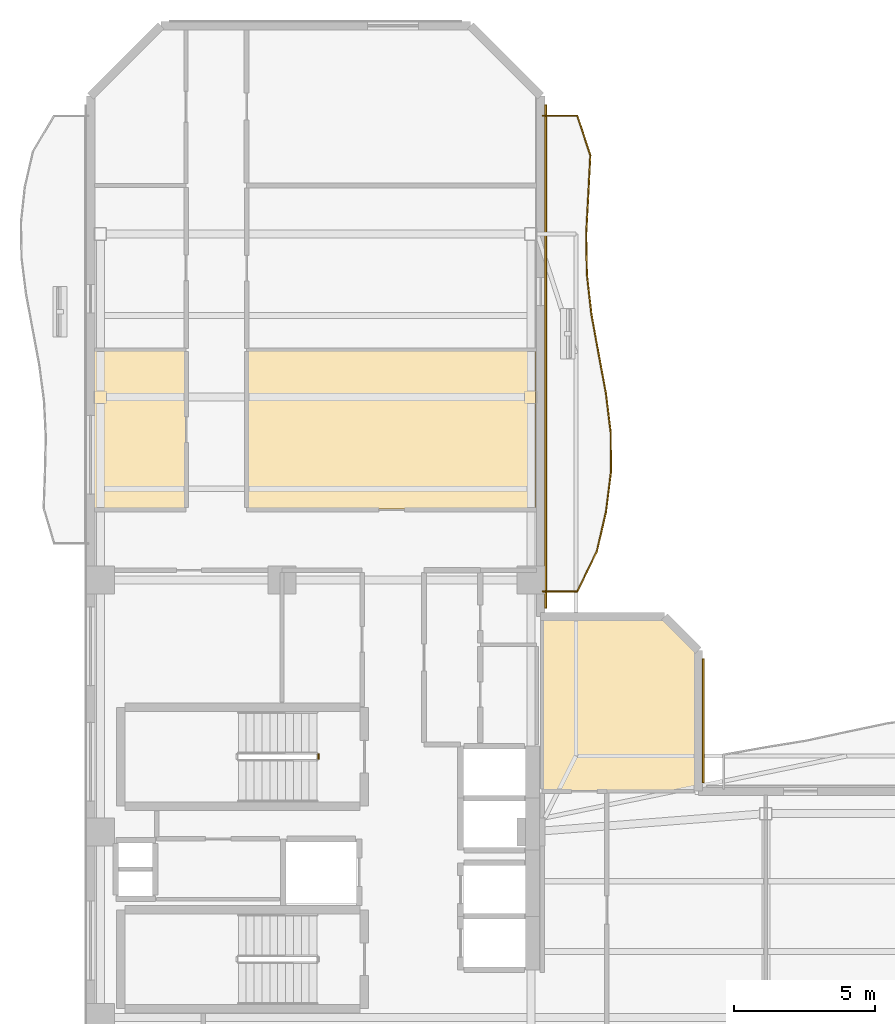
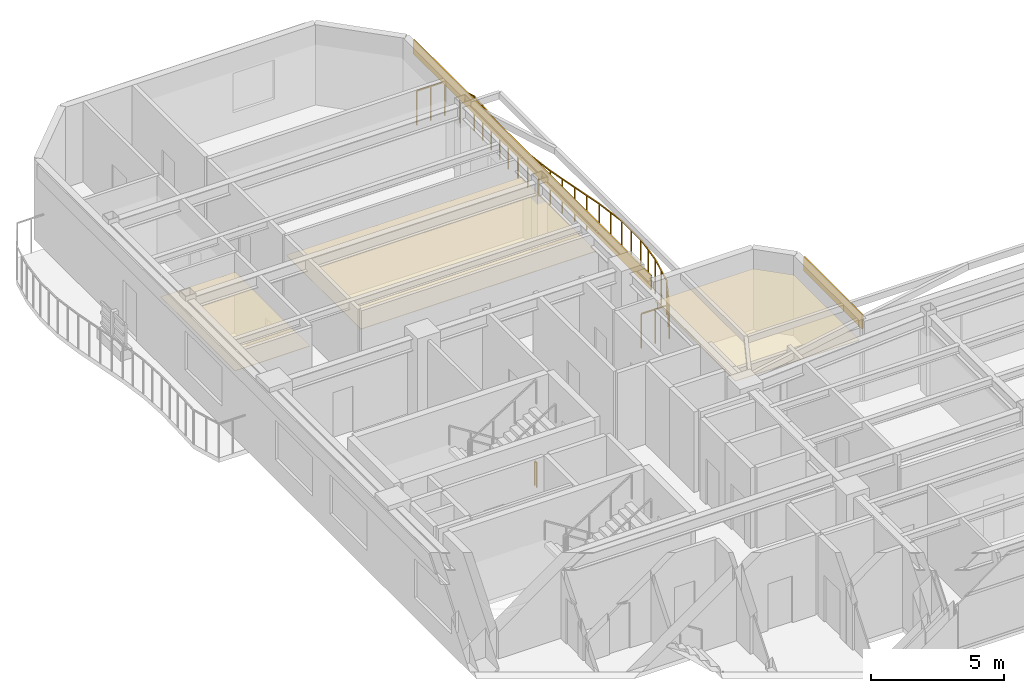
# One storey, part 15 of 16: 5 coverings, 2 railings.
"""IFC4 building model written with IfcOpenShell, lengths in metres."""

from ifc_helpers import new_model, si_unit, direction, frame, origin, origin_2d, place, context, subcontext, project, spatial, polyline, rectangle, outline, extrude, material, layer, layer_set, type_object, element, save


model = new_model("IFC4")

# Units and contexts
model_context = context("Model", 3, precision=1e-05, world=origin(), true_north=direction((0.0, 1.0)))
body_context = subcontext(model_context, "Body", "Model", "MODEL_VIEW")
ifc_project = project(units=[si_unit("LENGTHUNIT", "METRE"), si_unit("AREAUNIT", "SQUARE_METRE"), si_unit("VOLUMEUNIT", "CUBIC_METRE"), si_unit("PLANEANGLEUNIT", "RADIAN"), si_unit("MASSUNIT", "GRAM", prefix="KILO")], contexts=[model_context])

# Site, building, storey
site_placement = place(None, origin())
site = spatial("IfcSite", under=ifc_project, at=site_placement, CompositionType="ELEMENT")
building_placement = place(site_placement, origin())
building = spatial("IfcBuilding", under=site, at=building_placement, Name="Mawjaban Terraces University", CompositionType="ELEMENT")
storey_placement = place(building_placement, frame((0.0, 0.0, 230.39990234375)))
storey = spatial("IfcBuildingStorey", under=building, at=storey_placement, Name="L56", CompositionType="ELEMENT", Elevation=230.39990234375)

# Coverings
ifc_material_1 = material(Name="Acoustic mineral fibre ceiling tile", Category="masonry")
ifc_layer_1 = layer(ifc_material_1, 0.02001953125)
ifc_layer_set_1 = layer_set([ifc_layer_1], Name="Acoustic mineral fibre ceiling tile")
covering_type_1 = type_object("IfcCoveringType", Name="AcousticMineralCeiling_20", PredefinedType="CEILING", material=ifc_layer_set_1)
covering_1_placement = place(storey_placement, frame((0.0, 0.0, 2.75)))
element("IfcCovering", 1, at=covering_1_placement, inside=storey, type_object=covering_type_1, Name="L56 Student Tea Pantry 10 Acoustic Ceiling", PredefinedType="CEILING", context=body_context, shape_type="SweptSolid", body=[
    extrude(outline(polyline([(22.114990234375, 31.64599609375), (22.114990234375, 26.030029296875), (25.3701171875, 26.030029296875), (25.3701171875, 31.64599609375), (22.114990234375, 31.64599609375)])), origin(), (0.0, 0.0, 1.0), 0.02001953125),
])
covering_2_placement = place(storey_placement, frame((0.0, 0.0, 2.75)))
element("IfcCovering", 2, at=covering_2_placement, inside=storey, type_object=covering_type_1, Name="L56 Student Tea Pantry 11 Acoustic Ceiling", PredefinedType="CEILING", context=body_context, shape_type="SweptSolid", body=[
    extrude(outline(polyline([(37.820068359375, 26.030029296875), (37.820068359375, 31.64599609375), (27.580078125, 31.64599609375), (27.580078125, 26.030029296875), (37.820068359375, 26.030029296875)])), origin(), (0.0, 0.0, 1.0), 0.02001953125),
])
covering_3_placement = place(storey_placement, frame((0.0, 0.0, 2.75)))
element("IfcCovering", 3, at=covering_3_placement, inside=storey, type_object=covering_type_1, Name="L56 Terrace Collaborative Study Room Acoustic Ceiling", PredefinedType="CEILING", context=body_context, shape_type="SweptSolid", body=[
    extrude(outline(polyline([(43.485107421875, 16.030029296875), (43.485107421875, 20.952880859375), (42.35302734375, 22.0849609375), (38.080078125, 22.0849609375), (38.080078125, 16.030029296875), (43.485107421875, 16.030029296875)])), origin(), (0.0, 0.0, 1.0), 0.02001953125),
])

# Railings
ifc_material_2 = material(Name="Galvanised powder-coated steel S355", Category="steel")
railing_type_1 = type_object("IfcRailingType", Name="BalconyBalustrade_1600", PredefinedType="BALUSTRADE", material=ifc_material_2)
railing_1_placement = place(storey_placement, frame((38.080078125, 23.10009765625, 0.0)))
element("IfcRailing", 4, at=railing_1_placement, inside=storey, type_object=railing_type_1, Name="L56 Balcony Guardrail inner_east", PredefinedType="BALUSTRADE", context=body_context, shape_type="SweptSolid", body=[
    extrude(rectangle(XDim=0.048095703125, YDim=0.048095703125, at=origin_2d()), frame((0.0, 0.0, 1.576171875), z_axis=(1.0, 0.0, 0.0), x_axis=(0.0, 1.0, 0.0)), (0.0, 0.0, 1.0), 1.219970703125),
    extrude(rectangle(XDim=0.048095703125, YDim=0.048095703125, at=origin_2d()), frame((1.219970703125, 0.0, 1.576171875), z_axis=(0.440538625065, 0.89773365751, 0.0), x_axis=(-0.89773365751, 0.440538625065, 0.0)), (0.0, 0.0, 1.0), 1.568359375),
    extrude(rectangle(XDim=0.048095703125, YDim=0.048095703125, at=origin_2d()), frame((1.910888671875, 1.407958984375, 1.576171875), z_axis=(0.225377322092, 0.9742715549, 0.0), x_axis=(-0.9742715549, 0.225377322092, 0.0)), (0.0, 0.0, 1.0), 1.446044921875),
    extrude(rectangle(XDim=0.048095703125, YDim=0.048095703125, at=origin_2d()), frame((2.23681640625, 2.81689453125, 1.576171875), z_axis=(0.124733475986, 0.992190284153, 0.0), x_axis=(-0.992190284153, 0.124733475986, 0.0)), (0.0, 0.0, 1.0), 1.4189453125),
    extrude(rectangle(XDim=0.048095703125, YDim=0.048095703125, at=origin_2d()), frame((2.413818359375, 4.224853515625, 1.576171875), z_axis=(-0.004161573119, 0.999991340617, 0.0), x_axis=(-0.999991340617, -0.004161573119, 0.0)), (0.0, 0.0, 1.0), 1.407958984375),
    extrude(rectangle(XDim=0.048095703125, YDim=0.048095703125, at=origin_2d()), frame((2.407958984375, 5.6328125, 1.576171875), z_axis=(-0.120562495358, 0.992705739237, 0.0), x_axis=(-0.992705739237, -0.120562495358, 0.0)), (0.0, 0.0, 1.0), 1.41943359375),
    extrude(rectangle(XDim=0.048095703125, YDim=0.048095703125, at=origin_2d()), frame((2.23681640625, 7.0419921875, 1.576171875), z_axis=(-0.182919411854, 0.983127910684, 0.0), x_axis=(-0.983127910684, -0.182919411854, 0.0)), (0.0, 0.0, 1.0), 1.43212890625),
    extrude(rectangle(XDim=0.048095703125, YDim=0.048095703125, at=origin_2d()), frame((1.974853515625, 8.449951171875, 1.576171875), z_axis=(-0.178134627155, 0.98400612529, 0.0), x_axis=(-0.98400612529, -0.178134627155, 0.0)), (0.0, 0.0, 1.0), 1.430908203125),
    extrude(rectangle(XDim=0.048095703125, YDim=0.048095703125, at=origin_2d()), frame((1.719970703125, 9.85791015625, 1.576171875), z_axis=(-0.112094456586, 0.993697556001, 0.0), x_axis=(-0.993697556001, -0.112094456586, 0.0)), (0.0, 0.0, 1.0), 1.41796875),
    extrude(rectangle(XDim=0.048095703125, YDim=0.048095703125, at=origin_2d()), frame((1.56103515625, 11.266845703125, 1.576171875), z_axis=(-0.018550648109, 0.999827921922, 0.0), x_axis=(-0.999827921922, -0.018550648109, 0.0)), (0.0, 0.0, 1.0), 1.408203125),
    extrude(rectangle(XDim=0.048095703125, YDim=0.048095703125, at=origin_2d()), frame((1.534912109375, 12.6748046875, 1.576171875), z_axis=(0.05314945849, 0.998586568637, 0.0), x_axis=(-0.998586568637, 0.05314945849, 0.0)), (0.0, 0.0, 1.0), 1.41015625),
    extrude(rectangle(XDim=0.048095703125, YDim=0.048095703125, at=origin_2d()), frame((1.60986328125, 14.0830078125, 1.576171875), z_axis=(0.051741378412, 0.998660517774, 0.0), x_axis=(-0.998660517774, 0.051741378412, 0.0)), (0.0, 0.0, 1.0), 1.410888671875),
    extrude(rectangle(XDim=0.048095703125, YDim=0.048095703125, at=origin_2d()), frame((1.682861328125, 15.491943359375, 1.576171875), z_axis=(-0.312321074942, 0.949976602947, 0.0), x_axis=(-0.949976602947, -0.312321074942, 0.0)), (0.0, 0.0, 1.0), 1.482177734375),
    extrude(rectangle(XDim=0.048095703125, YDim=0.048095703125, at=origin_2d()), frame((1.219970703125, 16.89990234375, 1.576171875), z_axis=(-1.0, 0.0, 0.0), x_axis=(0.0, -1.0, 0.0)), (0.0, 0.0, 1.0), 1.219970703125),
    extrude(rectangle(XDim=0.0419921875, YDim=0.0419921875, at=origin_2d()), origin(), (0.0, 0.0, 1.0), 1.552001953125),
    extrude(rectangle(XDim=0.0419921875, YDim=0.0419921875, at=origin_2d()), frame((0.60986328125, 0.0, 0.0)), (0.0, 0.0, 1.0), 1.552001953125),
    extrude(rectangle(XDim=0.0419921875, YDim=0.0419921875, at=origin_2d()), frame((1.219970703125, 0.0, 0.0)), (0.0, 0.0, 1.0), 1.552001953125),
    extrude(rectangle(XDim=0.0419921875, YDim=0.0419921875, at=origin_2d()), frame((1.5654296875, 0.7041015625, 0.0)), (0.0, 0.0, 1.0), 1.552001953125),
    extrude(rectangle(XDim=0.0419921875, YDim=0.0419921875, at=origin_2d()), frame((1.910888671875, 1.407958984375, 0.0)), (0.0, 0.0, 1.0), 1.552001953125),
    extrude(rectangle(XDim=0.0419921875, YDim=0.0419921875, at=origin_2d()), frame((2.07373046875, 2.1123046875, 0.0)), (0.0, 0.0, 1.0), 1.552001953125),
    extrude(rectangle(XDim=0.0419921875, YDim=0.0419921875, at=origin_2d()), frame((2.23681640625, 2.81689453125, 0.0)), (0.0, 0.0, 1.0), 1.552001953125),
    extrude(rectangle(XDim=0.0419921875, YDim=0.0419921875, at=origin_2d()), frame((2.3251953125, 3.52099609375, 0.0)), (0.0, 0.0, 1.0), 1.552001953125),
    extrude(rectangle(XDim=0.0419921875, YDim=0.0419921875, at=origin_2d()), frame((2.413818359375, 4.224853515625, 0.0)), (0.0, 0.0, 1.0), 1.552001953125),
    extrude(rectangle(XDim=0.0419921875, YDim=0.0419921875, at=origin_2d()), frame((2.410888671875, 4.9287109375, 0.0)), (0.0, 0.0, 1.0), 1.552001953125),
    extrude(rectangle(XDim=0.0419921875, YDim=0.0419921875, at=origin_2d()), frame((2.407958984375, 5.6328125, 0.0)), (0.0, 0.0, 1.0), 1.552001953125),
    extrude(rectangle(XDim=0.0419921875, YDim=0.0419921875, at=origin_2d()), frame((2.322265625, 6.33740234375, 0.0)), (0.0, 0.0, 1.0), 1.552001953125),
    extrude(rectangle(XDim=0.0419921875, YDim=0.0419921875, at=origin_2d()), frame((2.23681640625, 7.0419921875, 0.0)), (0.0, 0.0, 1.0), 1.552001953125),
    extrude(rectangle(XDim=0.0419921875, YDim=0.0419921875, at=origin_2d()), frame((2.10595703125, 7.74609375, 0.0)), (0.0, 0.0, 1.0), 1.552001953125),
    extrude(rectangle(XDim=0.0419921875, YDim=0.0419921875, at=origin_2d()), frame((1.974853515625, 8.449951171875, 0.0)), (0.0, 0.0, 1.0), 1.552001953125),
    extrude(rectangle(XDim=0.0419921875, YDim=0.0419921875, at=origin_2d()), frame((1.847412109375, 9.15380859375, 0.0)), (0.0, 0.0, 1.0), 1.552001953125),
    extrude(rectangle(XDim=0.0419921875, YDim=0.0419921875, at=origin_2d()), frame((1.719970703125, 9.85791015625, 0.0)), (0.0, 0.0, 1.0), 1.552001953125),
    extrude(rectangle(XDim=0.0419921875, YDim=0.0419921875, at=origin_2d()), frame((1.640625, 10.5625, 0.0)), (0.0, 0.0, 1.0), 1.552001953125),
    extrude(rectangle(XDim=0.0419921875, YDim=0.0419921875, at=origin_2d()), frame((1.56103515625, 11.266845703125, 0.0)), (0.0, 0.0, 1.0), 1.552001953125),
    extrude(rectangle(XDim=0.0419921875, YDim=0.0419921875, at=origin_2d()), frame((1.5478515625, 11.970703125, 0.0)), (0.0, 0.0, 1.0), 1.552001953125),
    extrude(rectangle(XDim=0.0419921875, YDim=0.0419921875, at=origin_2d()), frame((1.534912109375, 12.6748046875, 0.0)), (0.0, 0.0, 1.0), 1.552001953125),
    extrude(rectangle(XDim=0.0419921875, YDim=0.0419921875, at=origin_2d()), frame((1.572265625, 13.37890625, 0.0)), (0.0, 0.0, 1.0), 1.552001953125),
    extrude(rectangle(XDim=0.0419921875, YDim=0.0419921875, at=origin_2d()), frame((1.60986328125, 14.0830078125, 0.0)), (0.0, 0.0, 1.0), 1.552001953125),
    extrude(rectangle(XDim=0.0419921875, YDim=0.0419921875, at=origin_2d()), frame((1.646484375, 14.78759765625, 0.0)), (0.0, 0.0, 1.0), 1.552001953125),
    extrude(rectangle(XDim=0.0419921875, YDim=0.0419921875, at=origin_2d()), frame((1.682861328125, 15.491943359375, 0.0)), (0.0, 0.0, 1.0), 1.552001953125),
    extrude(rectangle(XDim=0.0419921875, YDim=0.0419921875, at=origin_2d()), frame((1.451416015625, 16.19580078125, 0.0)), (0.0, 0.0, 1.0), 1.552001953125),
    extrude(rectangle(XDim=0.0419921875, YDim=0.0419921875, at=origin_2d()), frame((1.219970703125, 16.89990234375, 0.0)), (0.0, 0.0, 1.0), 1.552001953125),
    extrude(rectangle(XDim=0.0419921875, YDim=0.0419921875, at=origin_2d()), frame((0.60986328125, 16.89990234375, 0.0)), (0.0, 0.0, 1.0), 1.552001953125),
    extrude(rectangle(XDim=0.0419921875, YDim=0.0419921875, at=origin_2d()), frame((0.0, 16.89990234375, 0.0)), (0.0, 0.0, 1.0), 1.552001953125),
])
ifc_material_3 = material(Name="Galvanised painted steel S355", Category="steel")
railing_type_2 = type_object("IfcRailingType", Name="StairWellGuard_1150", PredefinedType="BALUSTRADE", material=ifc_material_3)
railing_2_placement = place(storey_placement, frame((30.10009765625, 17.300048828125, 0.0)))
element("IfcRailing", 5, at=railing_2_placement, inside=storey, type_object=railing_type_2, Name="L56 ST-2 stair guard 4", PredefinedType="BALUSTRADE", context=body_context, shape_type="SweptSolid", body=[
    extrude(rectangle(XDim=0.048095703125, YDim=0.048095703125, at=origin_2d()), frame((0.0, 0.0, 1.1259765625), z_axis=(0.0, -1.0, 0.0), x_axis=(1.0, 0.0, 0.0)), (0.0, 0.0, 1.0), 0.150146484375),
    extrude(rectangle(XDim=0.0419921875, YDim=0.0419921875, at=origin_2d()), origin(), (0.0, 0.0, 1.0), 1.101806640625),
    extrude(rectangle(XDim=0.0419921875, YDim=0.0419921875, at=origin_2d()), frame((0.0, -0.150146484375, 0.0)), (0.0, 0.0, 1.0), 1.101806640625),
])

# Coverings
ifc_material_4 = material(Name="Glazed architectural terracotta rainscreen", Category="masonry")
ifc_layer_2 = layer(ifc_material_4, 0.06005859375)
ifc_layer_set_2 = layer_set([ifc_layer_2], Name="Glazed architectural terracotta rainscreen")
covering_type_2 = type_object("IfcCoveringType", Name="TerracottaSpandrelCladding_60", PredefinedType="CLADDING", material=ifc_layer_set_2)
covering_4_placement = place(storey_placement, frame((43.77490234375, 18.5, 3.01513671875), z_axis=(0.0, 0.0, 1.0), x_axis=(0.0, 1.0, 0.0)))
element("IfcCovering", 6, at=covering_4_placement, inside=storey, type_object=covering_type_2, Name="L56 Terracotta Spandrel Cladding 6", PredefinedType="CLADDING", context=body_context, shape_type="SweptSolid", body=[
    extrude(rectangle(XDim=4.39990234375, YDim=0.06005859375, at=origin_2d()), origin(), (0.0, 0.0, 1.0), 0.64990234375),
])
covering_5_placement = place(storey_placement, frame((38.175048828125, 31.449951171875, 3.01513671875), z_axis=(0.0, 0.0, 1.0), x_axis=(0.0, 1.0, 0.0)))
element("IfcCovering", 7, at=covering_5_placement, inside=storey, type_object=covering_type_2, Name="L56 Terracotta Spandrel Cladding 9", PredefinedType="CLADDING", context=body_context, shape_type="SweptSolid", body=[
    extrude(rectangle(XDim=17.89990234375, YDim=0.06005859375, at=origin_2d()), origin(), (0.0, 0.0, 1.0), 0.64990234375),
])

save(model, "model.ifc")
